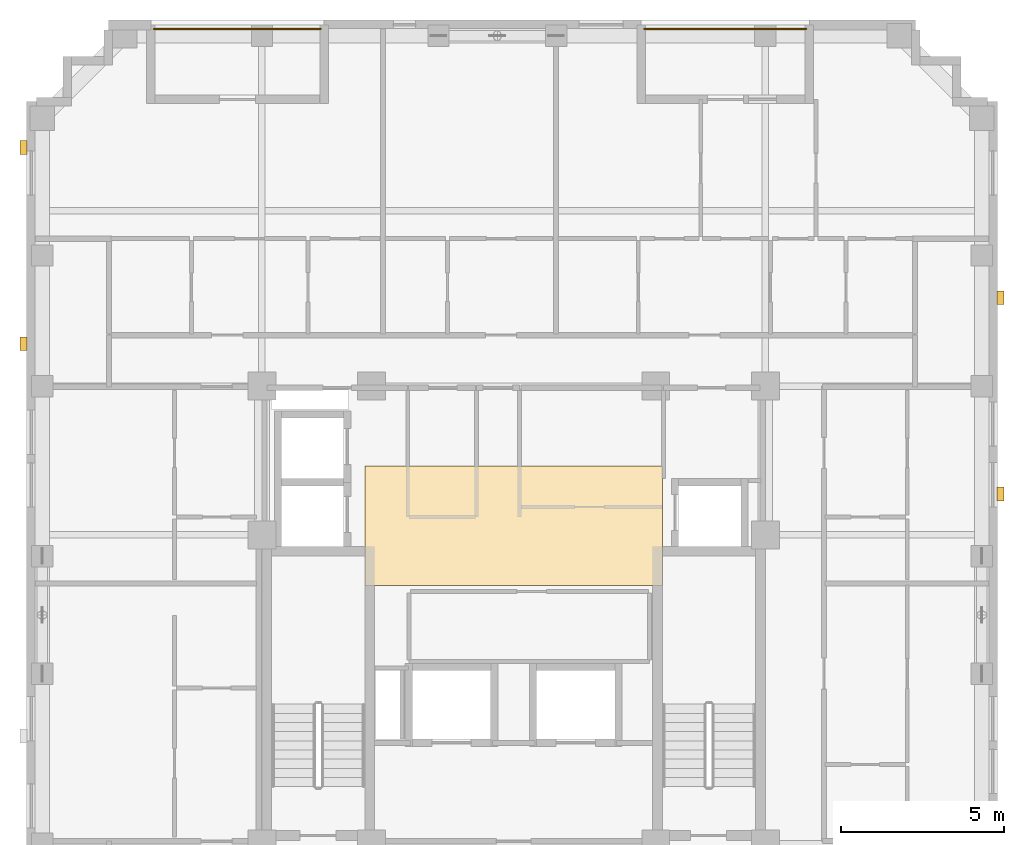
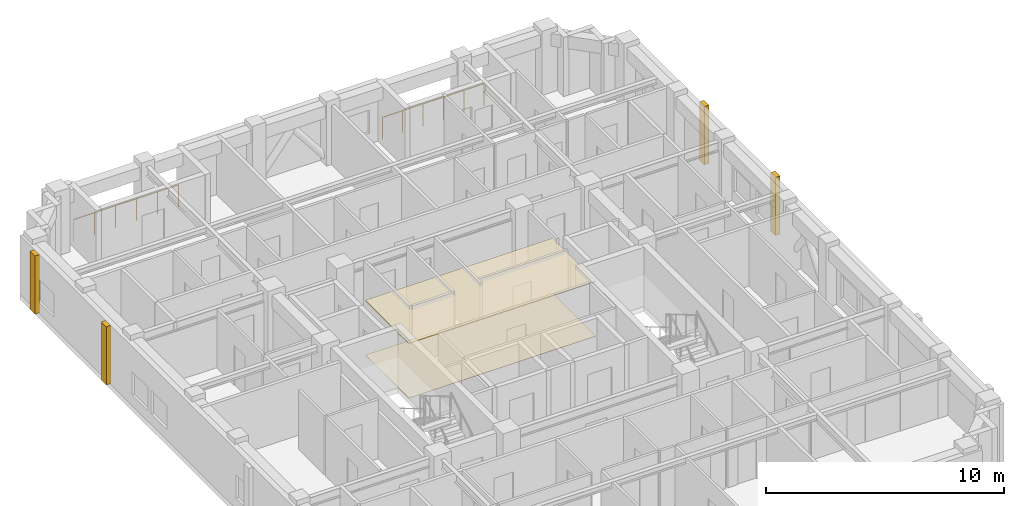
# One storey, part 11 of 11: 6 coverings, 2 railings.
"""IFC4 building model written with IfcOpenShell, lengths in metres."""

from ifc_helpers import new_model, si_unit, derived_unit, direction, frame, origin, origin_2d, place, context, subcontext, project, spatial, polyline, rectangle, circle, outline, extrude, material, layer, layer_set, type_object, element, save


model = new_model("IFC4")

# Units and contexts
model_context = context("Model", 3, precision=1e-05, world=origin(), true_north=direction((0.0, 1.0)))
body_context = subcontext(model_context, "Body", "Model", "MODEL_VIEW")
ifc_project = project(units=[si_unit("LENGTHUNIT", "METRE"), si_unit("AREAUNIT", "SQUARE_METRE"), si_unit("VOLUMEUNIT", "CUBIC_METRE"), si_unit("PLANEANGLEUNIT", "RADIAN"), si_unit("MASSUNIT", "GRAM", prefix="KILO"), derived_unit("THERMALTRANSMITTANCEUNIT", [(si_unit("MASSUNIT", "GRAM", prefix="KILO"), 1), (si_unit("TIMEUNIT", "SECOND"), -3), (si_unit("THERMODYNAMICTEMPERATUREUNIT", "KELVIN"), -1)])], contexts=[model_context])

# Site, building, storey
site_placement = place(None, origin())
site = spatial("IfcSite", under=ifc_project, at=site_placement, CompositionType="ELEMENT")
building_placement = place(site_placement, origin())
building = spatial("IfcBuilding", under=site, at=building_placement, Name="Korrvale Station Residences", CompositionType="ELEMENT")
storey_placement = place(building_placement, frame((0.0, 0.0, 187.60009765625)))
storey = spatial("IfcBuildingStorey", under=building, at=storey_placement, Name="L54", CompositionType="ELEMENT", Elevation=187.60009765625)

# Coverings
ifc_material_1 = material(Name="Perforated acoustic mineral-fibre suspended ceiling", Category="gypsum")
ifc_layer_1 = layer(ifc_material_1, 0.050048828125, Name="Perforated acoustic mineral-fibre suspended ceiling")
ifc_layer_set_1 = layer_set([ifc_layer_1], Name="Perforated acoustic mineral-fibre suspended ceiling")
covering_type_1 = type_object("IfcCoveringType", Name="COV-CLG-AC60", PredefinedType="CEILING", material=ifc_layer_set_1)
covering_1_placement = place(storey_placement, frame((0.0, 0.0, 2.789794921875)))
element("IfcCovering", 1, at=covering_1_placement, inside=storey, type_object=covering_type_1, Name="L54 Elevator Lobby Acoustic Ceiling", PredefinedType="CEILING", context=body_context, shape_type="SweptSolid", body=[
    extrude(outline(polyline([(20.949951171875, 22.89990234375), (30.050048828125, 22.89990234375), (30.050048828125, 26.550048828125), (20.949951171875, 26.550048828125), (20.949951171875, 22.89990234375)])), origin(), (0.0, 0.0, 1.0), 0.050048828125),
])
ifc_material_2 = material(Name="Polished quartz-terrazzo lobby flooring", Category="masonry")
ifc_layer_2 = layer(ifc_material_2, 0.02001953125, Name="Polished quartz-terrazzo lobby flooring")
ifc_layer_set_2 = layer_set([ifc_layer_2], Name="Polished quartz-terrazzo lobby flooring")
covering_type_2 = type_object("IfcCoveringType", Name="COV-FLR-TER20", PredefinedType="FLOORING", material=ifc_layer_set_2)
covering_2_placement = place(storey_placement, origin())
element("IfcCovering", 2, at=covering_2_placement, inside=storey, type_object=covering_type_2, Name="L54 Elevator Lobby Terrazzo Flooring", PredefinedType="FLOORING", context=body_context, shape_type="SweptSolid", body=[
    extrude(outline(polyline([(20.949951171875, 22.89990234375), (30.050048828125, 22.89990234375), (30.050048828125, 26.550048828125), (20.949951171875, 26.550048828125), (20.949951171875, 22.89990234375)])), origin(), (0.0, 0.0, 1.0), 0.02001953125),
])
ifc_material_3 = material(Name="Architectural precast concrete C45/55", Category="concrete")
ifc_layer_3 = layer(ifc_material_3, 0.219970703125, Name="Architectural precast concrete C45/55")
ifc_layer_set_3 = layer_set([ifc_layer_3], Name="Architectural precast concrete C45/55")
covering_type_3 = type_object("IfcCoveringType", Name="COV-PIER-400", PredefinedType="CLADDING", material=ifc_layer_set_3)
for number, where, z_axis, x_axis, name in (
    (3, (10.510009765625, 30.300048828125, 0.02490234375), (0.0, 0.0, 1.0), (0.0, 1.0, 0.0), "L54 Architectural Precast Facade Pier 04"),
    (4, (10.510009765625, 36.300048828125, 0.02490234375), (0.0, 0.0, 1.0), (0.0, 1.0, 0.0), "L54 Architectural Precast Facade Pier 05"),
    (5, (40.389892578125, 31.699951171875, 0.02490234375), (0.0, 0.0, 1.0), (0.0, 1.0, 0.0), "L54 Architectural Precast Facade Pier 06"),
    (6, (40.389892578125, 25.699951171875, 0.02490234375), (0.0, 0.0, 1.0), (0.0, 1.0, 0.0), "L54 Architectural Precast Facade Pier 07"),
):
    element("IfcCovering", number, at=place(storey_placement, frame(where, z_axis=z_axis, x_axis=x_axis)), inside=storey, type_object=covering_type_3, Name=name, PredefinedType="CLADDING", context=body_context, shape_type="SweptSolid", body=[
        extrude(rectangle(XDim=0.419921875, YDim=0.219970703125, at=origin_2d()), origin(), (0.0, 0.0, 1.0), 2.989990234375),
    ])

# Railings
ifc_material_4 = material(Name="Powder-coated aluminium picket loggia guard", Category="aluminium")
railing_type = type_object("IfcRailingType", Name="RLG-BAL-1150", PredefinedType="GUARDRAIL", material=ifc_material_4)
railing_1_placement = place(storey_placement, frame((14.5, 39.929931640625, 0.0)))
element("IfcRailing", 7, at=railing_1_placement, inside=storey, type_object=railing_type, Name="L54 Recessed Loggia Guardrail BAL-L54-N2", PredefinedType="GUARDRAIL", context=body_context, shape_type="SweptSolid", body=[
    extrude(circle(Radius=0.02392578125, at=origin_2d()), frame((0.0, 0.0, 1.1259765625), z_axis=(1.0, 0.0, 0.0), x_axis=(0.0, 1.0, 0.0)), (0.0, 0.0, 1.0), 5.10009765625),
    extrude(circle(Radius=0.02099609375, at=origin_2d()), origin(), (0.0, 0.0, 1.0), 1.101806640625),
    extrude(circle(Radius=0.02099609375, at=origin_2d()), frame((1.02001953125, 0.0, 0.0)), (0.0, 0.0, 1.0), 1.101806640625),
    extrude(circle(Radius=0.02099609375, at=origin_2d()), frame((2.0400390625, 0.0, 0.0)), (0.0, 0.0, 1.0), 1.101806640625),
    extrude(circle(Radius=0.02099609375, at=origin_2d()), frame((3.06005859375, 0.0, 0.0)), (0.0, 0.0, 1.0), 1.101806640625),
    extrude(circle(Radius=0.02099609375, at=origin_2d()), frame((4.080078125, 0.0, 0.0)), (0.0, 0.0, 1.0), 1.101806640625),
    extrude(circle(Radius=0.02099609375, at=origin_2d()), frame((5.10009765625, 0.0, 0.0)), (0.0, 0.0, 1.0), 1.101806640625),
])
railing_2_placement = place(storey_placement, frame((29.5, 39.929931640625, 0.0)))
element("IfcRailing", 8, at=railing_2_placement, inside=storey, type_object=railing_type, Name="L54 Recessed Loggia Guardrail BAL-L54-N1", PredefinedType="GUARDRAIL", context=body_context, shape_type="SweptSolid", body=[
    extrude(circle(Radius=0.02392578125, at=origin_2d()), frame((0.0, 0.0, 1.1259765625), z_axis=(1.0, 0.0, 0.0), x_axis=(0.0, 1.0, 0.0)), (0.0, 0.0, 1.0), 4.949951171875),
    extrude(circle(Radius=0.02099609375, at=origin_2d()), origin(), (0.0, 0.0, 1.0), 1.101806640625),
    extrude(circle(Radius=0.02099609375, at=origin_2d()), frame((0.989990234375, 0.0, 0.0)), (0.0, 0.0, 1.0), 1.101806640625),
    extrude(circle(Radius=0.02099609375, at=origin_2d()), frame((1.97998046875, 0.0, 0.0)), (0.0, 0.0, 1.0), 1.101806640625),
    extrude(circle(Radius=0.02099609375, at=origin_2d()), frame((2.969970703125, 0.0, 0.0)), (0.0, 0.0, 1.0), 1.101806640625),
    extrude(circle(Radius=0.02099609375, at=origin_2d()), frame((3.9599609375, 0.0, 0.0)), (0.0, 0.0, 1.0), 1.101806640625),
    extrude(circle(Radius=0.02099609375, at=origin_2d()), frame((4.949951171875, 0.0, 0.0)), (0.0, 0.0, 1.0), 1.101806640625),
])

save(model, "model.ifc")
